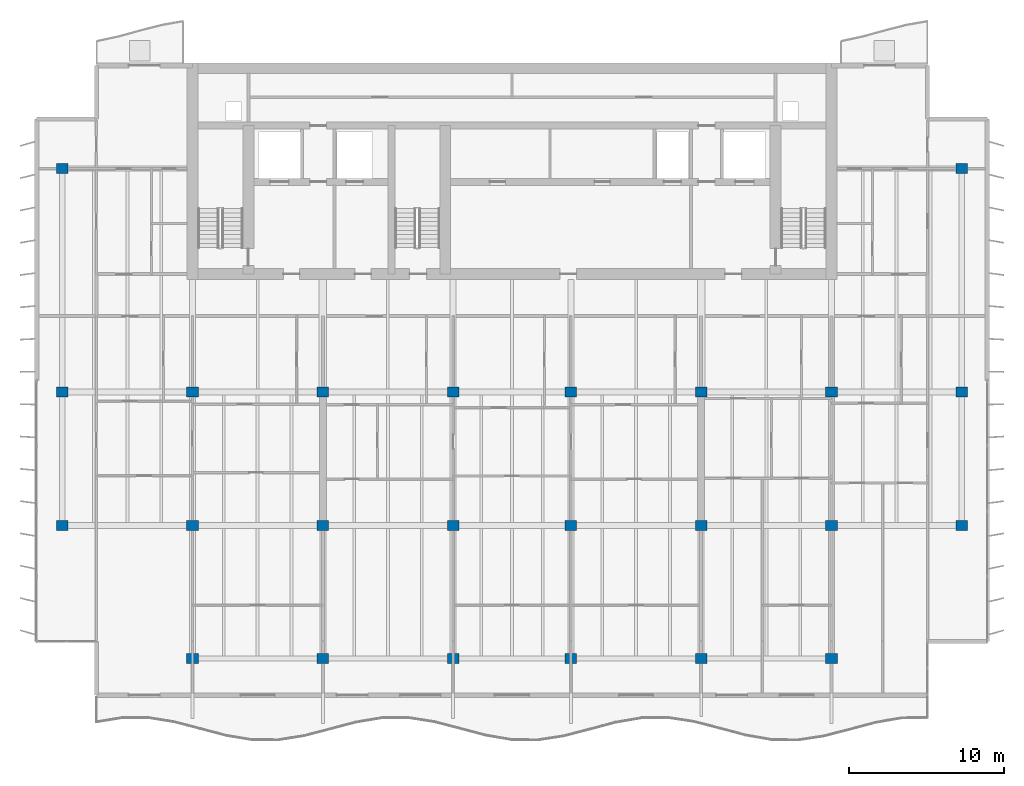
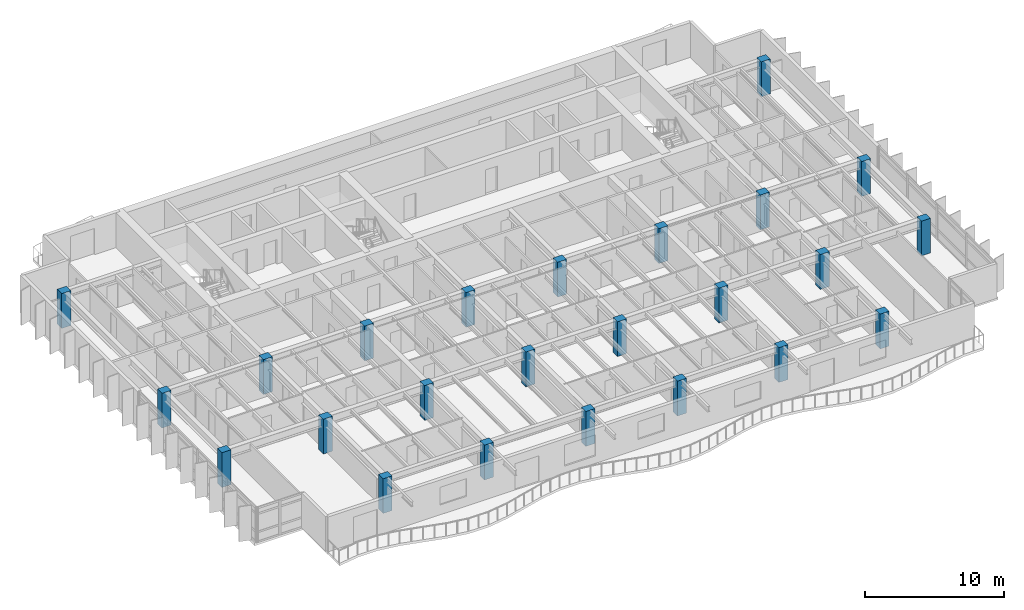
# One storey, part 1 of 17: 24 columns.
"""IFC4 building model written with IfcOpenShell, lengths in metres."""

from ifc_helpers import new_model, si_unit, direction, frame, origin, origin_2d, place, context, subcontext, project, spatial, rectangle, extrude, material, material_profile, profile_set, type_object, element, save


model = new_model("IFC4")

# Units and contexts
model_context = context("Model", 3, precision=1e-05, world=origin(), true_north=direction((0.0, 1.0)))
body_context = subcontext(model_context, "Body", "Model", "MODEL_VIEW")
ifc_project = project(units=[si_unit("LENGTHUNIT", "METRE"), si_unit("AREAUNIT", "SQUARE_METRE"), si_unit("VOLUMEUNIT", "CUBIC_METRE"), si_unit("PLANEANGLEUNIT", "RADIAN"), si_unit("MASSUNIT", "GRAM", prefix="KILO")], contexts=[model_context])

# Site, building, storey
site_placement = place(None, origin())
site = spatial("IfcSite", under=ifc_project, at=site_placement, CompositionType="ELEMENT")
building_placement = place(site_placement, origin())
building = spatial("IfcBuilding", under=site, at=building_placement, Name="Caelmar Bay Residences", CompositionType="ELEMENT")
storey_placement = place(building_placement, frame((0.0, 0.0, 259.5)))
storey = spatial("IfcBuildingStorey", under=building, at=storey_placement, Name="L73", CompositionType="ELEMENT", Elevation=259.5)

# Columns
ifc_material = material(Name="Concrete f'c 55 MPa (8,000 psi)", Category="concrete")
ifc_material_profile = material_profile(ifc_material, rectangle(XDim=0.75, YDim=0.64990234375, at=origin_2d()), Name="RC-COL-750X650")
ifc_profile_set = profile_set([ifc_material_profile], Name="Concrete f'c 55 MPa (8,000 psi)")
column_type = type_object("IfcColumnType", Name="COL-RC-750X650", PredefinedType="COLUMN", material=ifc_profile_set)
for number, where, z_axis, x_axis, name in (
    (1, (18.300048828125, 12.199951171875, 0.0), (0.0, 0.0, 1.0), (1.0, 0.0, 0.0), "L73 Column (18.30,12.20)"),
    (2, (26.699951171875, 12.199951171875, 0.0), (0.0, 0.0, 1.0), (1.0, 0.0, 0.0), "L73 Column (26.70,12.20)"),
    (3, (35.10009765625, 12.199951171875, 0.0), (0.0, 0.0, 1.0), (1.0, 0.0, 0.0), "L73 Column (35.10,12.20)"),
    (4, (42.699951171875, 12.199951171875, 0.0), (0.0, 0.0, 1.0), (1.0, 0.0, 0.0), "L73 Column (42.70,12.20)"),
    (5, (51.10009765625, 12.199951171875, 0.0), (0.0, 0.0, 1.0), (1.0, 0.0, 0.0), "L73 Column (51.10,12.20)"),
    (6, (59.5, 12.199951171875, 0.0), (0.0, 0.0, 1.0), (1.0, 0.0, 0.0), "L73 Column (59.50,12.20)"),
    (7, (9.89990234375, 20.800048828125, 0.0), (0.0, 0.0, 1.0), (1.0, 0.0, 0.0), "L73 Column (9.90,20.80)"),
    (8, (18.300048828125, 20.800048828125, 0.0), (0.0, 0.0, 1.0), (1.0, 0.0, 0.0), "L73 Column (18.30,20.80)"),
    (9, (26.699951171875, 20.800048828125, 0.0), (0.0, 0.0, 1.0), (1.0, 0.0, 0.0), "L73 Column (26.70,20.80)"),
    (10, (35.10009765625, 20.800048828125, 0.0), (0.0, 0.0, 1.0), (1.0, 0.0, 0.0), "L73 Column (35.10,20.80)"),
    (11, (42.699951171875, 20.800048828125, 0.0), (0.0, 0.0, 1.0), (1.0, 0.0, 0.0), "L73 Column (42.70,20.80)"),
    (12, (51.10009765625, 20.800048828125, 0.0), (0.0, 0.0, 1.0), (1.0, 0.0, 0.0), "L73 Column (51.10,20.80)"),
    (13, (59.5, 20.800048828125, 0.0), (0.0, 0.0, 1.0), (1.0, 0.0, 0.0), "L73 Column (59.50,20.80)"),
    (14, (67.89990234375, 20.800048828125, 0.0), (0.0, 0.0, 1.0), (1.0, 0.0, 0.0), "L73 Column (67.90,20.80)"),
    (15, (9.89990234375, 29.39990234375, 0.0), (0.0, 0.0, 1.0), (1.0, 0.0, 0.0), "L73 Column (9.90,29.40)"),
    (16, (18.300048828125, 29.39990234375, 0.0), (0.0, 0.0, 1.0), (1.0, 0.0, 0.0), "L73 Column (18.30,29.40)"),
    (17, (26.699951171875, 29.39990234375, 0.0), (0.0, 0.0, 1.0), (1.0, 0.0, 0.0), "L73 Column (26.70,29.40)"),
    (18, (35.10009765625, 29.39990234375, 0.0), (0.0, 0.0, 1.0), (1.0, 0.0, 0.0), "L73 Column (35.10,29.40)"),
    (19, (42.699951171875, 29.39990234375, 0.0), (0.0, 0.0, 1.0), (1.0, 0.0, 0.0), "L73 Column (42.70,29.40)"),
    (20, (51.10009765625, 29.39990234375, 0.0), (0.0, 0.0, 1.0), (1.0, 0.0, 0.0), "L73 Column (51.10,29.40)"),
    (21, (59.5, 29.39990234375, 0.0), (0.0, 0.0, 1.0), (1.0, 0.0, 0.0), "L73 Column (59.50,29.40)"),
    (22, (67.89990234375, 29.39990234375, 0.0), (0.0, 0.0, 1.0), (1.0, 0.0, 0.0), "L73 Column (67.90,29.40)"),
    (23, (9.89990234375, 43.800048828125, 0.0), (0.0, 0.0, 1.0), (1.0, 0.0, 0.0), "L73 Column (9.90,43.80)"),
    (24, (67.89990234375, 43.800048828125, 0.0), (0.0, 0.0, 1.0), (1.0, 0.0, 0.0), "L73 Column (67.90,43.80)"),
):
    element("IfcColumn", number, at=place(storey_placement, frame(where, z_axis=z_axis, x_axis=x_axis)), inside=storey, type_object=column_type, Name=name, PredefinedType="COLUMN", context=body_context, shape_type="SweptSolid", body=[
        extrude(rectangle(XDim=0.75, YDim=0.64990234375, at=origin_2d()), origin(), (0.0, 0.0, 1.0), 3.050048828125),
    ])

save(model, "model.ifc")
